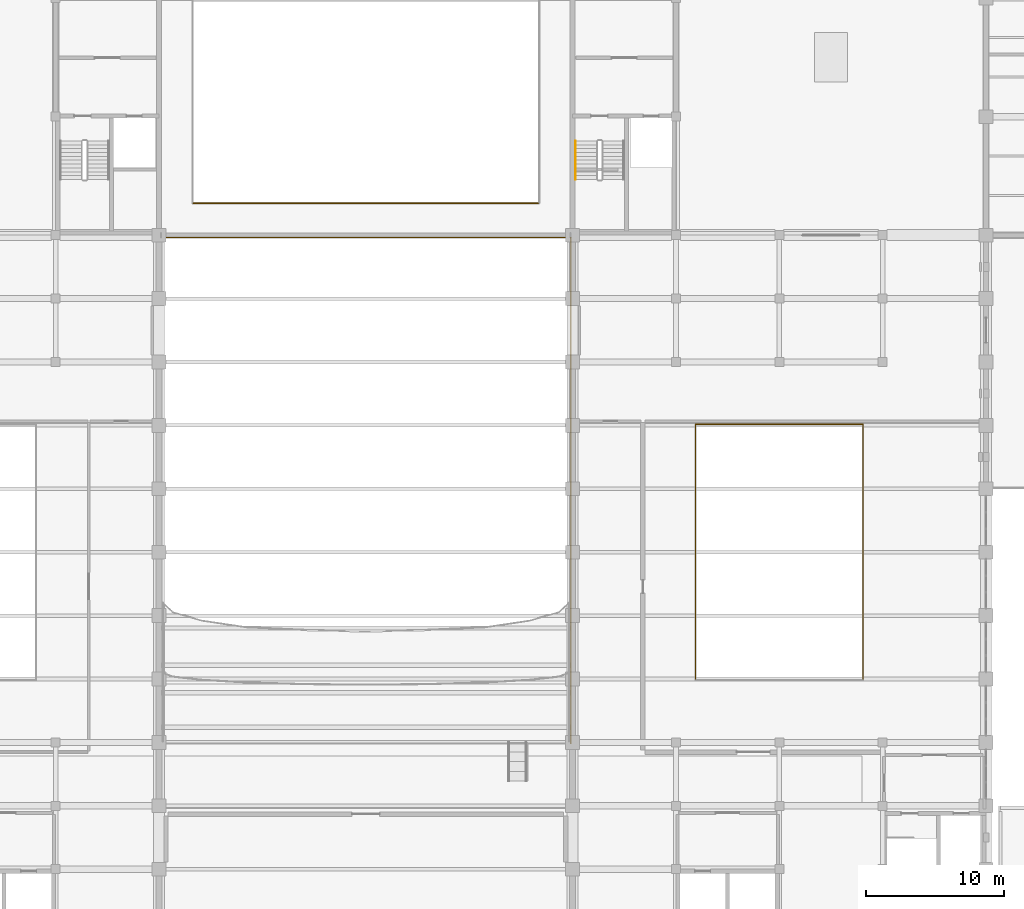
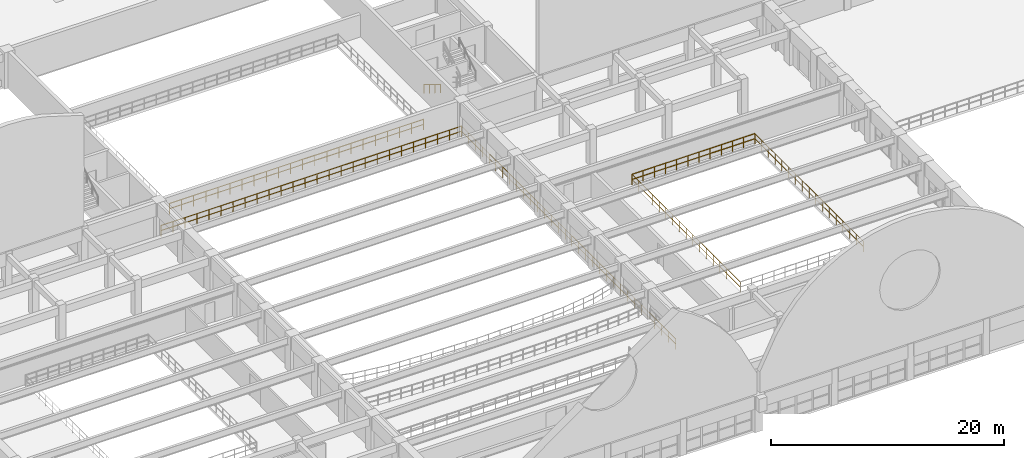
# One storey, part 68 of 74: 7 railings.
"""IFC4 building model written with IfcOpenShell, lengths in metres."""

from ifc_helpers import new_model, si_unit, direction, frame, origin, origin_2d, place, context, subcontext, project, spatial, circle, extrude, material, type_object, element, save


model = new_model("IFC4")

# Units and contexts
model_context = context("Model", 3, precision=1e-05, world=origin(), true_north=direction((0.0, 1.0)))
body_context = subcontext(model_context, "Body", "Model", "MODEL_VIEW")
ifc_project = project(units=[si_unit("LENGTHUNIT", "METRE"), si_unit("AREAUNIT", "SQUARE_METRE"), si_unit("VOLUMEUNIT", "CUBIC_METRE"), si_unit("PLANEANGLEUNIT", "RADIAN"), si_unit("MASSUNIT", "GRAM", prefix="KILO")], contexts=[model_context])

# Site, building, storey
site_placement = place(None, origin())
site = spatial("IfcSite", under=ifc_project, at=site_placement, CompositionType="ELEMENT")
building_placement = place(site_placement, origin())
building = spatial("IfcBuilding", under=site, at=building_placement, Name="Muzn Square Opera House", CompositionType="ELEMENT")
storey_placement = place(building_placement, frame((0.0, 0.0, 14.199951171875)))
storey = spatial("IfcBuildingStorey", under=building, at=storey_placement, Name="L03", CompositionType="ELEMENT", Elevation=14.199951171875)

# Railings
ifc_material_1 = material(Name="Architectural bronze mashrabiya", Category="metal")
railing_type_1 = type_object("IfcRailingType", Name="Bronze Protective Balustrade 1120mm", PredefinedType="BALUSTRADE", material=ifc_material_1)
railing_1_placement = place(storey_placement, frame((102.8701171875, 35.719970703125, 0.0)))
element("IfcRailing", 1, at=railing_1_placement, inside=storey, type_object=railing_type_1, Name="Void Edge Balustrade L03-0044", PredefinedType="BALUSTRADE", context=body_context, shape_type="SweptSolid", body=[
    extrude(circle(Radius=0.02392578125, at=origin_2d()), frame((0.0, 0.0, 1.09619140625), z_axis=(0.0, 1.0, 0.0), x_axis=(-1.0, 0.0, 0.0)), (0.0, 0.0, 1.0), 36.7099609375),
    extrude(circle(Radius=0.02392578125, at=origin_2d()), frame((0.0, 0.0, 0.56005859375), z_axis=(0.0, 1.0, 0.0), x_axis=(-1.0, 0.0, 0.0)), (0.0, 0.0, 1.0), 36.7099609375),
    extrude(circle(Radius=0.02099609375, at=origin_2d()), origin(), (0.0, 0.0, 1.0), 1.072021484375),
    extrude(circle(Radius=0.02099609375, at=origin_2d()), frame((0.0, 1.18408203125, 0.0)), (0.0, 0.0, 1.0), 1.072021484375),
    extrude(circle(Radius=0.02099609375, at=origin_2d()), frame((0.0, 2.368408203125, 0.0)), (0.0, 0.0, 1.0), 1.072021484375),
    extrude(circle(Radius=0.02099609375, at=origin_2d()), frame((0.0, 3.552490234375, 0.0)), (0.0, 0.0, 1.0), 1.072021484375),
    extrude(circle(Radius=0.02099609375, at=origin_2d()), frame((0.0, 4.73681640625, 0.0)), (0.0, 0.0, 1.0), 1.072021484375),
    extrude(circle(Radius=0.02099609375, at=origin_2d()), frame((0.0, 5.9208984375, 0.0)), (0.0, 0.0, 1.0), 1.072021484375),
    extrude(circle(Radius=0.02099609375, at=origin_2d()), frame((0.0, 7.105224609375, 0.0)), (0.0, 0.0, 1.0), 1.072021484375),
    extrude(circle(Radius=0.02099609375, at=origin_2d()), frame((0.0, 8.289306640625, 0.0)), (0.0, 0.0, 1.0), 1.072021484375),
    extrude(circle(Radius=0.02099609375, at=origin_2d()), frame((0.0, 9.4736328125, 0.0)), (0.0, 0.0, 1.0), 1.072021484375),
    extrude(circle(Radius=0.02099609375, at=origin_2d()), frame((0.0, 10.65771484375, 0.0)), (0.0, 0.0, 1.0), 1.072021484375),
    extrude(circle(Radius=0.02099609375, at=origin_2d()), frame((0.0, 11.842041015625, 0.0)), (0.0, 0.0, 1.0), 1.072021484375),
    extrude(circle(Radius=0.02099609375, at=origin_2d()), frame((0.0, 13.026123046875, 0.0)), (0.0, 0.0, 1.0), 1.072021484375),
    extrude(circle(Radius=0.02099609375, at=origin_2d()), frame((0.0, 14.210205078125, 0.0)), (0.0, 0.0, 1.0), 1.072021484375),
    extrude(circle(Radius=0.02099609375, at=origin_2d()), frame((0.0, 15.39453125, 0.0)), (0.0, 0.0, 1.0), 1.072021484375),
    extrude(circle(Radius=0.02099609375, at=origin_2d()), frame((0.0, 16.57861328125, 0.0)), (0.0, 0.0, 1.0), 1.072021484375),
    extrude(circle(Radius=0.02099609375, at=origin_2d()), frame((0.0, 17.762939453125, 0.0)), (0.0, 0.0, 1.0), 1.072021484375),
    extrude(circle(Radius=0.02099609375, at=origin_2d()), frame((0.0, 18.947021484375, 0.0)), (0.0, 0.0, 1.0), 1.072021484375),
    extrude(circle(Radius=0.02099609375, at=origin_2d()), frame((0.0, 20.13134765625, 0.0)), (0.0, 0.0, 1.0), 1.072021484375),
    extrude(circle(Radius=0.02099609375, at=origin_2d()), frame((0.0, 21.3154296875, 0.0)), (0.0, 0.0, 1.0), 1.072021484375),
    extrude(circle(Radius=0.02099609375, at=origin_2d()), frame((0.0, 22.499755859375, 0.0)), (0.0, 0.0, 1.0), 1.072021484375),
    extrude(circle(Radius=0.02099609375, at=origin_2d()), frame((0.0, 23.683837890625, 0.0)), (0.0, 0.0, 1.0), 1.072021484375),
    extrude(circle(Radius=0.02099609375, at=origin_2d()), frame((0.0, 24.867919921875, 0.0)), (0.0, 0.0, 1.0), 1.072021484375),
    extrude(circle(Radius=0.02099609375, at=origin_2d()), frame((0.0, 26.05224609375, 0.0)), (0.0, 0.0, 1.0), 1.072021484375),
    extrude(circle(Radius=0.02099609375, at=origin_2d()), frame((0.0, 27.236328125, 0.0)), (0.0, 0.0, 1.0), 1.072021484375),
    extrude(circle(Radius=0.02099609375, at=origin_2d()), frame((0.0, 28.420654296875, 0.0)), (0.0, 0.0, 1.0), 1.072021484375),
    extrude(circle(Radius=0.02099609375, at=origin_2d()), frame((0.0, 29.604736328125, 0.0)), (0.0, 0.0, 1.0), 1.072021484375),
    extrude(circle(Radius=0.02099609375, at=origin_2d()), frame((0.0, 30.7890625, 0.0)), (0.0, 0.0, 1.0), 1.072021484375),
    extrude(circle(Radius=0.02099609375, at=origin_2d()), frame((0.0, 31.97314453125, 0.0)), (0.0, 0.0, 1.0), 1.072021484375),
    extrude(circle(Radius=0.02099609375, at=origin_2d()), frame((0.0, 33.157470703125, 0.0)), (0.0, 0.0, 1.0), 1.072021484375),
    extrude(circle(Radius=0.02099609375, at=origin_2d()), frame((0.0, 34.341552734375, 0.0)), (0.0, 0.0, 1.0), 1.072021484375),
    extrude(circle(Radius=0.02099609375, at=origin_2d()), frame((0.0, 35.52587890625, 0.0)), (0.0, 0.0, 1.0), 1.072021484375),
    extrude(circle(Radius=0.02099609375, at=origin_2d()), frame((0.0, 36.7099609375, 0.0)), (0.0, 0.0, 1.0), 1.072021484375),
])
railing_2_placement = place(storey_placement, frame((102.8701171875, 72.429931640625, 0.0)))
element("IfcRailing", 2, at=railing_2_placement, inside=storey, type_object=railing_type_1, Name="Void Edge Balustrade L03-0045", PredefinedType="BALUSTRADE", context=body_context, shape_type="SweptSolid", body=[
    extrude(circle(Radius=0.02392578125, at=origin_2d()), frame((0.0, 0.0, 1.09619140625), z_axis=(-1.0, 0.0, 0.0), x_axis=(0.0, -1.0, 0.0)), (0.0, 0.0, 1.0), 29.740234375),
    extrude(circle(Radius=0.02392578125, at=origin_2d()), frame((0.0, 0.0, 0.56005859375), z_axis=(-1.0, 0.0, 0.0), x_axis=(0.0, -1.0, 0.0)), (0.0, 0.0, 1.0), 29.740234375),
    extrude(circle(Radius=0.02099609375, at=origin_2d()), origin(), (0.0, 0.0, 1.0), 1.072021484375),
    extrude(circle(Radius=0.02099609375, at=origin_2d()), frame((-1.189697265625, 0.0, 0.0)), (0.0, 0.0, 1.0), 1.072021484375),
    extrude(circle(Radius=0.02099609375, at=origin_2d()), frame((-2.379150390625, 0.0, 0.0)), (0.0, 0.0, 1.0), 1.072021484375),
    extrude(circle(Radius=0.02099609375, at=origin_2d()), frame((-3.56884765625, 0.0, 0.0)), (0.0, 0.0, 1.0), 1.072021484375),
    extrude(circle(Radius=0.02099609375, at=origin_2d()), frame((-4.758544921875, 0.0, 0.0)), (0.0, 0.0, 1.0), 1.072021484375),
    extrude(circle(Radius=0.02099609375, at=origin_2d()), frame((-5.947998046875, 0.0, 0.0)), (0.0, 0.0, 1.0), 1.072021484375),
    extrude(circle(Radius=0.02099609375, at=origin_2d()), frame((-7.1376953125, 0.0, 0.0)), (0.0, 0.0, 1.0), 1.072021484375),
    extrude(circle(Radius=0.02099609375, at=origin_2d()), frame((-8.3271484375, 0.0, 0.0)), (0.0, 0.0, 1.0), 1.072021484375),
    extrude(circle(Radius=0.02099609375, at=origin_2d()), frame((-9.516845703125, 0.0, 0.0)), (0.0, 0.0, 1.0), 1.072021484375),
    extrude(circle(Radius=0.02099609375, at=origin_2d()), frame((-10.70654296875, 0.0, 0.0)), (0.0, 0.0, 1.0), 1.072021484375),
    extrude(circle(Radius=0.02099609375, at=origin_2d()), frame((-11.89599609375, 0.0, 0.0)), (0.0, 0.0, 1.0), 1.072021484375),
    extrude(circle(Radius=0.02099609375, at=origin_2d()), frame((-13.085693359375, 0.0, 0.0)), (0.0, 0.0, 1.0), 1.072021484375),
    extrude(circle(Radius=0.02099609375, at=origin_2d()), frame((-14.275390625, 0.0, 0.0)), (0.0, 0.0, 1.0), 1.072021484375),
    extrude(circle(Radius=0.02099609375, at=origin_2d()), frame((-15.46484375, 0.0, 0.0)), (0.0, 0.0, 1.0), 1.072021484375),
    extrude(circle(Radius=0.02099609375, at=origin_2d()), frame((-16.654541015625, 0.0, 0.0)), (0.0, 0.0, 1.0), 1.072021484375),
    extrude(circle(Radius=0.02099609375, at=origin_2d()), frame((-17.84423828125, 0.0, 0.0)), (0.0, 0.0, 1.0), 1.072021484375),
    extrude(circle(Radius=0.02099609375, at=origin_2d()), frame((-19.03369140625, 0.0, 0.0)), (0.0, 0.0, 1.0), 1.072021484375),
    extrude(circle(Radius=0.02099609375, at=origin_2d()), frame((-20.223388671875, 0.0, 0.0)), (0.0, 0.0, 1.0), 1.072021484375),
    extrude(circle(Radius=0.02099609375, at=origin_2d()), frame((-21.4130859375, 0.0, 0.0)), (0.0, 0.0, 1.0), 1.072021484375),
    extrude(circle(Radius=0.02099609375, at=origin_2d()), frame((-22.6025390625, 0.0, 0.0)), (0.0, 0.0, 1.0), 1.072021484375),
    extrude(circle(Radius=0.02099609375, at=origin_2d()), frame((-23.792236328125, 0.0, 0.0)), (0.0, 0.0, 1.0), 1.072021484375),
    extrude(circle(Radius=0.02099609375, at=origin_2d()), frame((-24.981689453125, 0.0, 0.0)), (0.0, 0.0, 1.0), 1.072021484375),
    extrude(circle(Radius=0.02099609375, at=origin_2d()), frame((-26.17138671875, 0.0, 0.0)), (0.0, 0.0, 1.0), 1.072021484375),
    extrude(circle(Radius=0.02099609375, at=origin_2d()), frame((-27.361083984375, 0.0, 0.0)), (0.0, 0.0, 1.0), 1.072021484375),
    extrude(circle(Radius=0.02099609375, at=origin_2d()), frame((-28.550537109375, 0.0, 0.0)), (0.0, 0.0, 1.0), 1.072021484375),
    extrude(circle(Radius=0.02099609375, at=origin_2d()), frame((-29.740234375, 0.0, 0.0)), (0.0, 0.0, 1.0), 1.072021484375),
])
railing_3_placement = place(storey_placement, frame((124.080078125, 40.320068359375, 0.0)))
element("IfcRailing", 3, at=railing_3_placement, inside=storey, type_object=railing_type_1, Name="Void Edge Balustrade L03-0052", PredefinedType="BALUSTRADE", context=body_context, shape_type="SweptSolid", body=[
    extrude(circle(Radius=0.02392578125, at=origin_2d()), frame((0.0, 0.0, 1.09619140625), z_axis=(0.0, 1.0, 0.0), x_axis=(-1.0, 0.0, 0.0)), (0.0, 0.0, 1.0), 18.559814453125),
    extrude(circle(Radius=0.02392578125, at=origin_2d()), frame((0.0, 0.0, 0.56005859375), z_axis=(0.0, 1.0, 0.0), x_axis=(-1.0, 0.0, 0.0)), (0.0, 0.0, 1.0), 18.559814453125),
    extrude(circle(Radius=0.02099609375, at=origin_2d()), origin(), (0.0, 0.0, 1.0), 1.072021484375),
    extrude(circle(Radius=0.02099609375, at=origin_2d()), frame((0.0, 1.159912109375, 0.0)), (0.0, 0.0, 1.0), 1.072021484375),
    extrude(circle(Radius=0.02099609375, at=origin_2d()), frame((0.0, 2.320068359375, 0.0)), (0.0, 0.0, 1.0), 1.072021484375),
    extrude(circle(Radius=0.02099609375, at=origin_2d()), frame((0.0, 3.47998046875, 0.0)), (0.0, 0.0, 1.0), 1.072021484375),
    extrude(circle(Radius=0.02099609375, at=origin_2d()), frame((0.0, 4.639892578125, 0.0)), (0.0, 0.0, 1.0), 1.072021484375),
    extrude(circle(Radius=0.02099609375, at=origin_2d()), frame((0.0, 5.800048828125, 0.0)), (0.0, 0.0, 1.0), 1.072021484375),
    extrude(circle(Radius=0.02099609375, at=origin_2d()), frame((0.0, 6.9599609375, 0.0)), (0.0, 0.0, 1.0), 1.072021484375),
    extrude(circle(Radius=0.02099609375, at=origin_2d()), frame((0.0, 8.119873046875, 0.0)), (0.0, 0.0, 1.0), 1.072021484375),
    extrude(circle(Radius=0.02099609375, at=origin_2d()), frame((0.0, 9.27978515625, 0.0)), (0.0, 0.0, 1.0), 1.072021484375),
    extrude(circle(Radius=0.02099609375, at=origin_2d()), frame((0.0, 10.43994140625, 0.0)), (0.0, 0.0, 1.0), 1.072021484375),
    extrude(circle(Radius=0.02099609375, at=origin_2d()), frame((0.0, 11.599853515625, 0.0)), (0.0, 0.0, 1.0), 1.072021484375),
    extrude(circle(Radius=0.02099609375, at=origin_2d()), frame((0.0, 12.759765625, 0.0)), (0.0, 0.0, 1.0), 1.072021484375),
    extrude(circle(Radius=0.02099609375, at=origin_2d()), frame((0.0, 13.919921875, 0.0)), (0.0, 0.0, 1.0), 1.072021484375),
    extrude(circle(Radius=0.02099609375, at=origin_2d()), frame((0.0, 15.079833984375, 0.0)), (0.0, 0.0, 1.0), 1.072021484375),
    extrude(circle(Radius=0.02099609375, at=origin_2d()), frame((0.0, 16.23974609375, 0.0)), (0.0, 0.0, 1.0), 1.072021484375),
    extrude(circle(Radius=0.02099609375, at=origin_2d()), frame((0.0, 17.39990234375, 0.0)), (0.0, 0.0, 1.0), 1.072021484375),
    extrude(circle(Radius=0.02099609375, at=origin_2d()), frame((0.0, 18.559814453125, 0.0)), (0.0, 0.0, 1.0), 1.072021484375),
])
railing_4_placement = place(storey_placement, frame((124.080078125, 58.8798828125, 0.0)))
element("IfcRailing", 4, at=railing_4_placement, inside=storey, type_object=railing_type_1, Name="Void Edge Balustrade L03-0053", PredefinedType="BALUSTRADE", context=body_context, shape_type="SweptSolid", body=[
    extrude(circle(Radius=0.02392578125, at=origin_2d()), frame((0.0, 0.0, 1.09619140625), z_axis=(-1.0, 0.0, 0.0), x_axis=(0.0, -1.0, 0.0)), (0.0, 0.0, 1.0), 12.16015625),
    extrude(circle(Radius=0.02392578125, at=origin_2d()), frame((0.0, 0.0, 0.56005859375), z_axis=(-1.0, 0.0, 0.0), x_axis=(0.0, -1.0, 0.0)), (0.0, 0.0, 1.0), 12.16015625),
    extrude(circle(Radius=0.02099609375, at=origin_2d()), origin(), (0.0, 0.0, 1.0), 1.072021484375),
    extrude(circle(Radius=0.02099609375, at=origin_2d()), frame((-1.10546875, 0.0, 0.0)), (0.0, 0.0, 1.0), 1.072021484375),
    extrude(circle(Radius=0.02099609375, at=origin_2d()), frame((-2.2109375, 0.0, 0.0)), (0.0, 0.0, 1.0), 1.072021484375),
    extrude(circle(Radius=0.02099609375, at=origin_2d()), frame((-3.31640625, 0.0, 0.0)), (0.0, 0.0, 1.0), 1.072021484375),
    extrude(circle(Radius=0.02099609375, at=origin_2d()), frame((-4.421875, 0.0, 0.0)), (0.0, 0.0, 1.0), 1.072021484375),
    extrude(circle(Radius=0.02099609375, at=origin_2d()), frame((-5.52734375, 0.0, 0.0)), (0.0, 0.0, 1.0), 1.072021484375),
    extrude(circle(Radius=0.02099609375, at=origin_2d()), frame((-6.6328125, 0.0, 0.0)), (0.0, 0.0, 1.0), 1.072021484375),
    extrude(circle(Radius=0.02099609375, at=origin_2d()), frame((-7.73828125, 0.0, 0.0)), (0.0, 0.0, 1.0), 1.072021484375),
    extrude(circle(Radius=0.02099609375, at=origin_2d()), frame((-8.84375, 0.0, 0.0)), (0.0, 0.0, 1.0), 1.072021484375),
    extrude(circle(Radius=0.02099609375, at=origin_2d()), frame((-9.94921875, 0.0, 0.0)), (0.0, 0.0, 1.0), 1.072021484375),
    extrude(circle(Radius=0.02099609375, at=origin_2d()), frame((-11.0546875, 0.0, 0.0)), (0.0, 0.0, 1.0), 1.072021484375),
    extrude(circle(Radius=0.02099609375, at=origin_2d()), frame((-12.16015625, 0.0, 0.0)), (0.0, 0.0, 1.0), 1.072021484375),
])
railing_5_placement = place(storey_placement, frame((111.919921875, 58.8798828125, 0.0)))
element("IfcRailing", 5, at=railing_5_placement, inside=storey, type_object=railing_type_1, Name="Void Edge Balustrade L03-0054", PredefinedType="BALUSTRADE", context=body_context, shape_type="SweptSolid", body=[
    extrude(circle(Radius=0.02392578125, at=origin_2d()), frame((0.0, 0.0, 1.09619140625), z_axis=(0.0, -1.0, 0.0), x_axis=(1.0, 0.0, 0.0)), (0.0, 0.0, 1.0), 18.559814453125),
    extrude(circle(Radius=0.02392578125, at=origin_2d()), frame((0.0, 0.0, 0.56005859375), z_axis=(0.0, -1.0, 0.0), x_axis=(1.0, 0.0, 0.0)), (0.0, 0.0, 1.0), 18.559814453125),
    extrude(circle(Radius=0.02099609375, at=origin_2d()), origin(), (0.0, 0.0, 1.0), 1.072021484375),
    extrude(circle(Radius=0.02099609375, at=origin_2d()), frame((0.0, -1.159912109375, 0.0)), (0.0, 0.0, 1.0), 1.072021484375),
    extrude(circle(Radius=0.02099609375, at=origin_2d()), frame((0.0, -2.320068359375, 0.0)), (0.0, 0.0, 1.0), 1.072021484375),
    extrude(circle(Radius=0.02099609375, at=origin_2d()), frame((0.0, -3.47998046875, 0.0)), (0.0, 0.0, 1.0), 1.072021484375),
    extrude(circle(Radius=0.02099609375, at=origin_2d()), frame((0.0, -4.639892578125, 0.0)), (0.0, 0.0, 1.0), 1.072021484375),
    extrude(circle(Radius=0.02099609375, at=origin_2d()), frame((0.0, -5.800048828125, 0.0)), (0.0, 0.0, 1.0), 1.072021484375),
    extrude(circle(Radius=0.02099609375, at=origin_2d()), frame((0.0, -6.9599609375, 0.0)), (0.0, 0.0, 1.0), 1.072021484375),
    extrude(circle(Radius=0.02099609375, at=origin_2d()), frame((0.0, -8.119873046875, 0.0)), (0.0, 0.0, 1.0), 1.072021484375),
    extrude(circle(Radius=0.02099609375, at=origin_2d()), frame((0.0, -9.27978515625, 0.0)), (0.0, 0.0, 1.0), 1.072021484375),
    extrude(circle(Radius=0.02099609375, at=origin_2d()), frame((0.0, -10.43994140625, 0.0)), (0.0, 0.0, 1.0), 1.072021484375),
    extrude(circle(Radius=0.02099609375, at=origin_2d()), frame((0.0, -11.599853515625, 0.0)), (0.0, 0.0, 1.0), 1.072021484375),
    extrude(circle(Radius=0.02099609375, at=origin_2d()), frame((0.0, -12.759765625, 0.0)), (0.0, 0.0, 1.0), 1.072021484375),
    extrude(circle(Radius=0.02099609375, at=origin_2d()), frame((0.0, -13.919921875, 0.0)), (0.0, 0.0, 1.0), 1.072021484375),
    extrude(circle(Radius=0.02099609375, at=origin_2d()), frame((0.0, -15.079833984375, 0.0)), (0.0, 0.0, 1.0), 1.072021484375),
    extrude(circle(Radius=0.02099609375, at=origin_2d()), frame((0.0, -16.23974609375, 0.0)), (0.0, 0.0, 1.0), 1.072021484375),
    extrude(circle(Radius=0.02099609375, at=origin_2d()), frame((0.0, -17.39990234375, 0.0)), (0.0, 0.0, 1.0), 1.072021484375),
    extrude(circle(Radius=0.02099609375, at=origin_2d()), frame((0.0, -18.559814453125, 0.0)), (0.0, 0.0, 1.0), 1.072021484375),
])
railing_6_placement = place(storey_placement, frame((75.419921875, 74.919921875, 0.0)))
element("IfcRailing", 6, at=railing_6_placement, inside=storey, type_object=railing_type_1, Name="Void Edge Balustrade L03-0055", PredefinedType="BALUSTRADE", context=body_context, shape_type="SweptSolid", body=[
    extrude(circle(Radius=0.02392578125, at=origin_2d()), frame((0.0, 0.0, 1.09619140625), z_axis=(1.0, 0.0, 0.0), x_axis=(0.0, 1.0, 0.0)), (0.0, 0.0, 1.0), 25.16015625),
    extrude(circle(Radius=0.02392578125, at=origin_2d()), frame((0.0, 0.0, 0.56005859375), z_axis=(1.0, 0.0, 0.0), x_axis=(0.0, 1.0, 0.0)), (0.0, 0.0, 1.0), 25.16015625),
    extrude(circle(Radius=0.02099609375, at=origin_2d()), origin(), (0.0, 0.0, 1.0), 1.072021484375),
    extrude(circle(Radius=0.02099609375, at=origin_2d()), frame((1.197998046875, 0.0, 0.0)), (0.0, 0.0, 1.0), 1.072021484375),
    extrude(circle(Radius=0.02099609375, at=origin_2d()), frame((2.396240234375, 0.0, 0.0)), (0.0, 0.0, 1.0), 1.072021484375),
    extrude(circle(Radius=0.02099609375, at=origin_2d()), frame((3.59423828125, 0.0, 0.0)), (0.0, 0.0, 1.0), 1.072021484375),
    extrude(circle(Radius=0.02099609375, at=origin_2d()), frame((4.79248046875, 0.0, 0.0)), (0.0, 0.0, 1.0), 1.072021484375),
    extrude(circle(Radius=0.02099609375, at=origin_2d()), frame((5.990478515625, 0.0, 0.0)), (0.0, 0.0, 1.0), 1.072021484375),
    extrude(circle(Radius=0.02099609375, at=origin_2d()), frame((7.188720703125, 0.0, 0.0)), (0.0, 0.0, 1.0), 1.072021484375),
    extrude(circle(Radius=0.02099609375, at=origin_2d()), frame((8.38671875, 0.0, 0.0)), (0.0, 0.0, 1.0), 1.072021484375),
    extrude(circle(Radius=0.02099609375, at=origin_2d()), frame((9.584716796875, 0.0, 0.0)), (0.0, 0.0, 1.0), 1.072021484375),
    extrude(circle(Radius=0.02099609375, at=origin_2d()), frame((10.782958984375, 0.0, 0.0)), (0.0, 0.0, 1.0), 1.072021484375),
    extrude(circle(Radius=0.02099609375, at=origin_2d()), frame((11.98095703125, 0.0, 0.0)), (0.0, 0.0, 1.0), 1.072021484375),
    extrude(circle(Radius=0.02099609375, at=origin_2d()), frame((13.17919921875, 0.0, 0.0)), (0.0, 0.0, 1.0), 1.072021484375),
    extrude(circle(Radius=0.02099609375, at=origin_2d()), frame((14.377197265625, 0.0, 0.0)), (0.0, 0.0, 1.0), 1.072021484375),
    extrude(circle(Radius=0.02099609375, at=origin_2d()), frame((15.575439453125, 0.0, 0.0)), (0.0, 0.0, 1.0), 1.072021484375),
    extrude(circle(Radius=0.02099609375, at=origin_2d()), frame((16.7734375, 0.0, 0.0)), (0.0, 0.0, 1.0), 1.072021484375),
    extrude(circle(Radius=0.02099609375, at=origin_2d()), frame((17.971435546875, 0.0, 0.0)), (0.0, 0.0, 1.0), 1.072021484375),
    extrude(circle(Radius=0.02099609375, at=origin_2d()), frame((19.169677734375, 0.0, 0.0)), (0.0, 0.0, 1.0), 1.072021484375),
    extrude(circle(Radius=0.02099609375, at=origin_2d()), frame((20.36767578125, 0.0, 0.0)), (0.0, 0.0, 1.0), 1.072021484375),
    extrude(circle(Radius=0.02099609375, at=origin_2d()), frame((21.56591796875, 0.0, 0.0)), (0.0, 0.0, 1.0), 1.072021484375),
    extrude(circle(Radius=0.02099609375, at=origin_2d()), frame((22.763916015625, 0.0, 0.0)), (0.0, 0.0, 1.0), 1.072021484375),
    extrude(circle(Radius=0.02099609375, at=origin_2d()), frame((23.962158203125, 0.0, 0.0)), (0.0, 0.0, 1.0), 1.072021484375),
    extrude(circle(Radius=0.02099609375, at=origin_2d()), frame((25.16015625, 0.0, 0.0)), (0.0, 0.0, 1.0), 1.072021484375),
])
ifc_material_2 = material(Name="Brushed stainless steel", Category="metal")
railing_type_2 = type_object("IfcRailingType", Name="Stair Pitch Handrail 900mm", PredefinedType="HANDRAIL", material=ifc_material_2)
railing_7_placement = place(storey_placement, frame((103.219970703125, 79.43994140625, 0.1728515625)))
element("IfcRailing", 7, at=railing_7_placement, inside=storey, type_object=railing_type_2, Name="L03 ST-2 stair handrail 1", PredefinedType="HANDRAIL", context=body_context, shape_type="SweptSolid", body=[
    extrude(circle(Radius=0.02392578125, at=origin_2d()), frame((0.0, 0.0, 0.8759765625), z_axis=(0.0, -0.851089632645, 0.525020415988), x_axis=(1.0, 0.0, 0.0)), (0.0, 0.0, 1.0), 3.2900390625),
    extrude(circle(Radius=0.02099609375, at=origin_2d()), origin(), (0.0, 0.0, 1.0), 0.851806640625),
    extrude(circle(Radius=0.02099609375, at=origin_2d()), frame((0.0, -0.933349609375, 0.57568359375)), (0.0, 0.0, 1.0), 0.851806640625),
    extrude(circle(Radius=0.02099609375, at=origin_2d()), frame((0.0, -1.86669921875, 1.151611328125)), (0.0, 0.0, 1.0), 0.851806640625),
    extrude(circle(Radius=0.02099609375, at=origin_2d()), frame((0.0, -2.800048828125, 1.727294921875)), (0.0, 0.0, 1.0), 0.851806640625),
])

save(model, "model.ifc")
